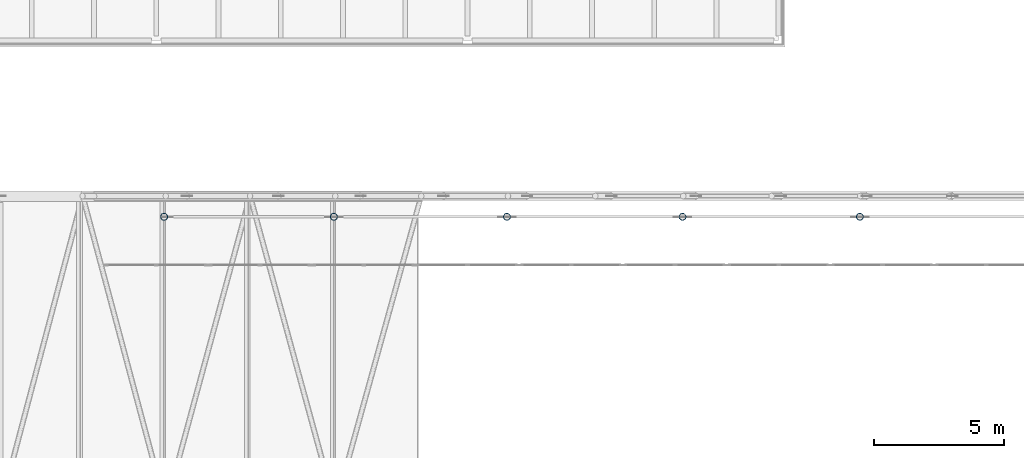
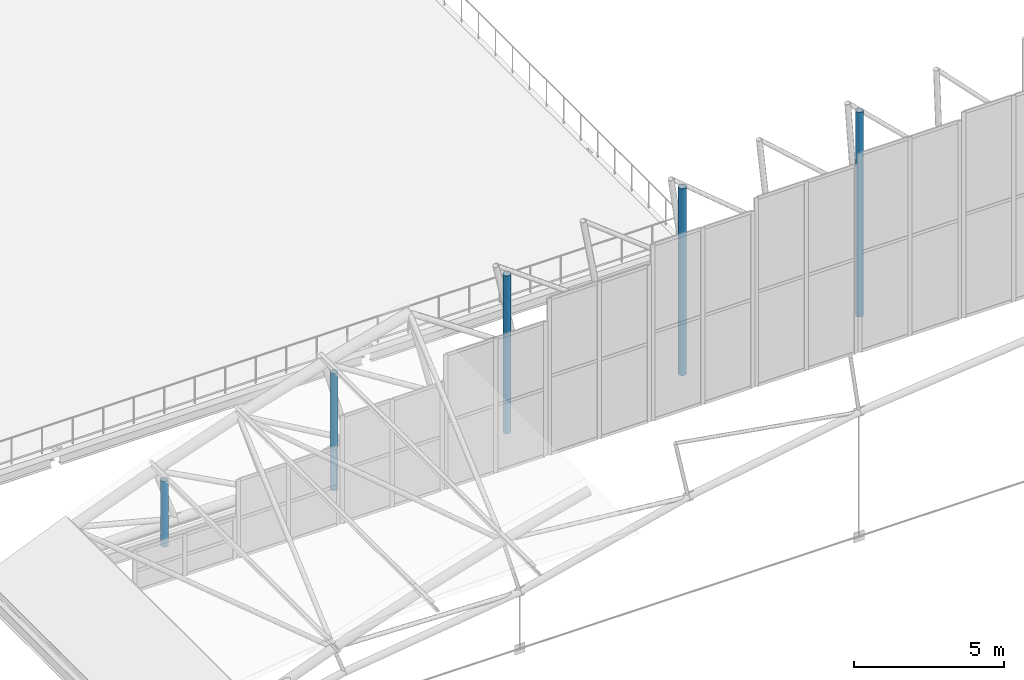
# One storey, part 7 of 321: 5 columns.
"""IFC4 building model written with IfcOpenShell, lengths in metres."""

from ifc_helpers import new_model, si_unit, direction, frame, origin, origin_2d, place, context, subcontext, project, spatial, hollow_circle, extrude, material, material_profile, profile_set, type_object, element, save


model = new_model("IFC4")

# Units and contexts
model_context = context("Model", 3, precision=1e-05, world=origin(), true_north=direction((0.0, 1.0)))
body_context = subcontext(model_context, "Body", "Model", "MODEL_VIEW")
ifc_project = project(units=[si_unit("LENGTHUNIT", "METRE"), si_unit("AREAUNIT", "SQUARE_METRE"), si_unit("VOLUMEUNIT", "CUBIC_METRE"), si_unit("PLANEANGLEUNIT", "RADIAN"), si_unit("MASSUNIT", "GRAM", prefix="KILO")], contexts=[model_context])

# Site, building, storey
site_placement = place(None, origin())
site = spatial("IfcSite", under=ifc_project, at=site_placement, CompositionType="ELEMENT")
building_placement = place(site_placement, origin())
building = spatial("IfcBuilding", under=site, at=building_placement, Name="Ravi Spectrum Wholesale Market", CompositionType="ELEMENT")
storey_placement = place(building_placement, frame((0.0, 0.0, 10.800048828125)))
storey = spatial("IfcBuildingStorey", under=building, at=storey_placement, Name="L02", CompositionType="ELEMENT", Elevation=10.800048828125)

# Columns
ifc_material = material(Name="Steel S355", Category="steel")
ifc_material_profile = material_profile(ifc_material, hollow_circle(Radius=0.136474609375, WallThickness=0.010009765625, at=origin_2d()))
ifc_profile_set = profile_set([ifc_material_profile], Name="Steel S355")
column_type = type_object("IfcColumnType", Name="CHS 273x10 column", PredefinedType="COLUMN", material=ifc_profile_set)
column_1_placement = place(storey_placement, frame((36.302978515625, 197.199951171875, 0.0), z_axis=(0.0, 0.0, 1.0), x_axis=(1.0, 0.0, 0.0)))
element("IfcColumn", 1, at=column_1_placement, inside=storey, type_object=column_type, Name="H1-COL-L02-001", PredefinedType="COLUMN", context=body_context, shape_type="SweptSolid", body=[
    extrude(hollow_circle(Radius=0.136474609375, WallThickness=0.010009765625, at=origin_2d()), origin(), (0.0, 0.0, 1.0), 2.68310546875),
])
column_2_placement = place(storey_placement, frame((42.847900390625, 197.199951171875, 0.0), z_axis=(0.0, 0.0, 1.0), x_axis=(1.0, 0.0, 0.0)))
element("IfcColumn", 2, at=column_2_placement, inside=storey, type_object=column_type, Name="H1-COL-L02-002", PredefinedType="COLUMN", context=body_context, shape_type="SweptSolid", body=[
    extrude(hollow_circle(Radius=0.136474609375, WallThickness=0.010009765625, at=origin_2d()), origin(), (0.0, 0.0, 1.0), 4.793701171875),
])
column_3_placement = place(storey_placement, frame((49.52197265625, 197.199951171875, 0.0), z_axis=(0.0, 0.0, 1.0), x_axis=(1.0, 0.0, 0.0)))
element("IfcColumn", 3, at=column_3_placement, inside=storey, type_object=column_type, Name="H1-COL-L02-003", PredefinedType="COLUMN", context=body_context, shape_type="SweptSolid", body=[
    extrude(hollow_circle(Radius=0.136474609375, WallThickness=0.010009765625, at=origin_2d()), origin(), (0.0, 0.0, 1.0), 6.447509765625),
])
column_4_placement = place(storey_placement, frame((56.293701171875, 197.199951171875, 0.0), z_axis=(0.0, 0.0, 1.0), x_axis=(1.0, 0.0, 0.0)))
element("IfcColumn", 4, at=column_4_placement, inside=storey, type_object=column_type, Name="H1-COL-L02-004", PredefinedType="COLUMN", context=body_context, shape_type="SweptSolid", body=[
    extrude(hollow_circle(Radius=0.136474609375, WallThickness=0.010009765625, at=origin_2d()), origin(), (0.0, 0.0, 1.0), 7.636962890625),
])
column_5_placement = place(storey_placement, frame((63.13037109375, 197.199951171875, 0.0), z_axis=(0.0, 0.0, 1.0), x_axis=(1.0, 0.0, 0.0)))
element("IfcColumn", 5, at=column_5_placement, inside=storey, type_object=column_type, Name="H1-COL-L02-005", PredefinedType="COLUMN", context=body_context, shape_type="SweptSolid", body=[
    extrude(hollow_circle(Radius=0.136474609375, WallThickness=0.010009765625, at=origin_2d()), origin(), (0.0, 0.0, 1.0), 8.356689453125),
])

save(model, "model.ifc")
